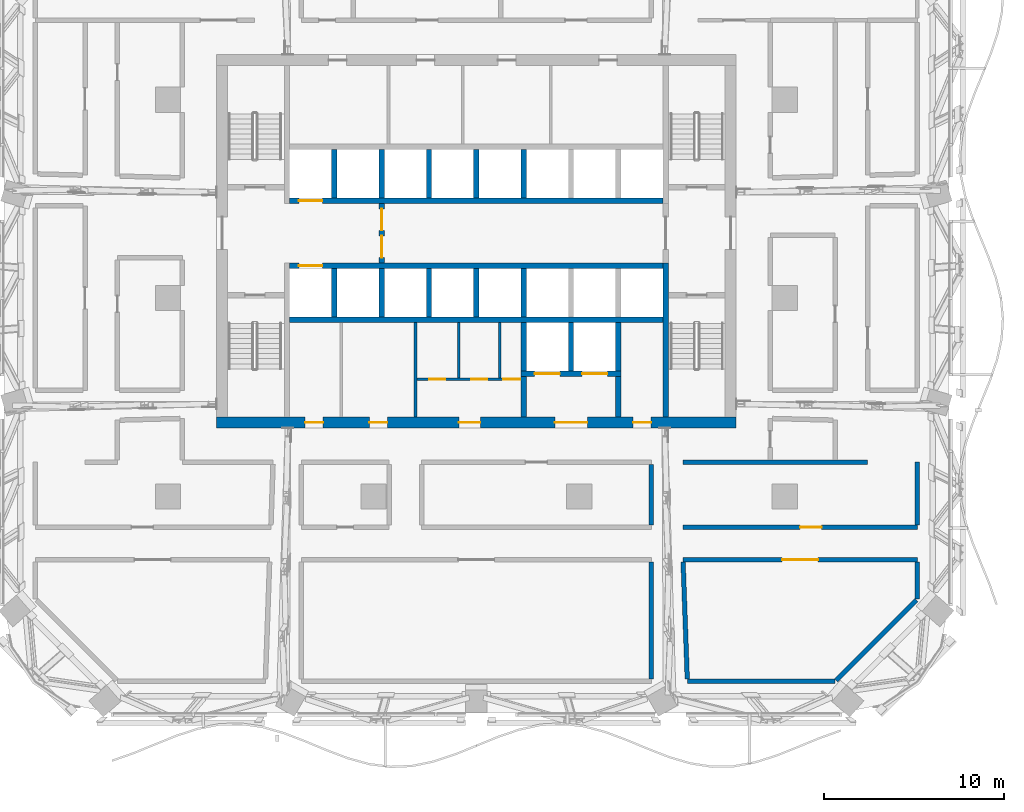
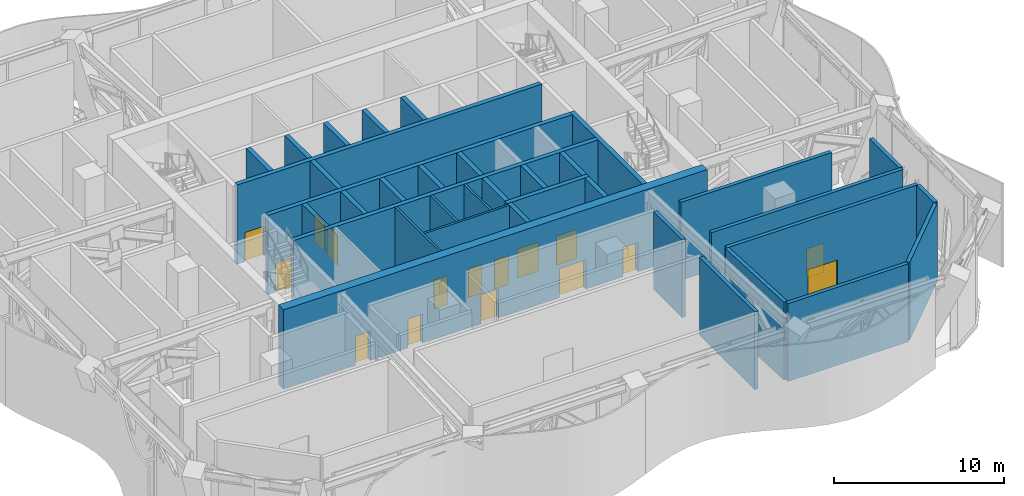
# One storey, part 9 of 26: 36 walls, 16 doors, 16 openings.
"""IFC4 building model written with IfcOpenShell, lengths in metres."""

from ifc_helpers import new_model, si_unit, direction, frame, frame_2d, origin, place, context, subcontext, project, spatial, rectangle, extrude, material, layer, layer_set, type_object, element, fill, save


model = new_model("IFC4")

# Units and contexts
model_context = context("Model", 3, precision=1e-05, world=origin(), true_north=direction((0.0, 1.0)))
body_context = subcontext(model_context, "Body", "Model", "MODEL_VIEW")
ifc_project = project(units=[si_unit("LENGTHUNIT", "METRE"), si_unit("AREAUNIT", "SQUARE_METRE"), si_unit("VOLUMEUNIT", "CUBIC_METRE"), si_unit("PLANEANGLEUNIT", "RADIAN"), si_unit("MASSUNIT", "GRAM", prefix="KILO")], contexts=[model_context])

# Site, building, storey
site_placement = place(None, origin())
site = spatial("IfcSite", under=ifc_project, at=site_placement, CompositionType="ELEMENT")
building_placement = place(site_placement, origin())
building = spatial("IfcBuilding", under=site, at=building_placement, Name="Mopane Tessera Tower", CompositionType="ELEMENT")
storey_placement = place(building_placement, frame((0.0, 0.0, 205.0)))
storey = spatial("IfcBuildingStorey", under=building, at=storey_placement, Name="L43", CompositionType="ELEMENT", Elevation=205.0)

# Wall
ifc_material_1 = material(Name="Fire-rated gypsum board partition")
ifc_layer_1 = layer(ifc_material_1, 0.14990234375)
ifc_layer_set_1 = layer_set([ifc_layer_1], Name="Fire-rated gypsum board partition")
wall_type_1 = type_object("IfcWallType", Name="Core room partition 150 mm", PredefinedType="PARTITIONING", material=ifc_layer_set_1)
wall_1_placement = place(storey_placement, frame((-3.375, -6.60009765625, 0.0), z_axis=(0.0, 0.0, 1.0), x_axis=(0.0, 1.0, 0.0)))
element("IfcWall", 1, at=wall_1_placement, inside=storey, type_object=wall_type_1, Name="L43 Room partition", PredefinedType="PARTITIONING", context=body_context, shape_type="SweptSolid", body=[
    extrude(rectangle(XDim=5.25, YDim=0.14990234375, at=frame_2d((2.625, 0.0))), origin(), (0.0, 0.0, 1.0), 5.699951171875),
])

# Wall, openings, doors
wall_2_placement = place(storey_placement, frame((-3.300048828125, -4.5, 0.0), z_axis=(0.0, 0.0, 1.0), x_axis=(1.0, 0.0, 0.0)))
wall_2 = element("IfcWall", 2, at=wall_2_placement, inside=storey, type_object=wall_type_1, Name="L43 WC partition", PredefinedType="PARTITIONING", context=body_context, shape_type="SweptSolid", body=[
    extrude(rectangle(XDim=5.775146484375, YDim=0.14990234375, at=frame_2d((2.8876953125, 0.0))), origin(), (0.0, 0.0, 1.0), 5.699951171875),
])
opening_1_placement = place(wall_2_placement, frame((0.675048828125, 0.0, 0.0)))
opening_1 = element("IfcOpeningElement", 3, at=opening_1_placement, cuts=wall_2, Name="Opening WD1", PredefinedType="OPENING", context=body_context, shape_type="SweptSolid", body=[
    extrude(rectangle(XDim=0.89990234375, YDim=2.10009765625, at=frame_2d((0.449951171875, 1.050048828125))), frame((0.0, 0.0869140625, 0.0), z_axis=(0.0, -1.0, 0.0), x_axis=(1.0, 0.0, 0.0)), (0.0, 0.0, 1.0), 0.173828125),
])
opening_2_placement = place(wall_2_placement, frame((3.014892578125, 0.0, 0.0)))
opening_2 = element("IfcOpeningElement", 4, at=opening_2_placement, cuts=wall_2, Name="Opening WD1", PredefinedType="OPENING", context=body_context, shape_type="SweptSolid", body=[
    extrude(rectangle(XDim=0.89990234375, YDim=2.10009765625, at=frame_2d((0.449951171875, 1.050048828125))), frame((0.0, 0.0869140625, 0.0), z_axis=(0.0, -1.0, 0.0), x_axis=(1.0, 0.0, 0.0)), (0.0, 0.0, 1.0), 0.173828125),
])
opening_3_placement = place(wall_2_placement, frame((4.7900390625, 0.0, 0.0)))
opening_3 = element("IfcOpeningElement", 5, at=opening_3_placement, cuts=wall_2, Name="Opening WD2", PredefinedType="OPENING", context=body_context, shape_type="SweptSolid", body=[
    extrude(rectangle(XDim=0.949951171875, YDim=2.10009765625, at=frame_2d((0.47509765625, 1.050048828125))), frame((0.0, 0.0869140625, 0.0), z_axis=(0.0, -1.0, 0.0), x_axis=(1.0, 0.0, 0.0)), (0.0, 0.0, 1.0), 0.173828125),
])
ifc_material_2 = material(Name="Timber door", Category="wood")
door_type_1 = type_object("IfcDoorType", Name="Accessible WC door 950 x 2100", OperationType="SINGLE_SWING_LEFT", PredefinedType="DOOR", material=ifc_material_2)
door_1_placement = place(opening_3_placement, origin())
door_1 = element("IfcDoor", 6, at=door_1_placement, inside=storey, type_object=door_type_1, Name="L43 Accessible WC door", OperationType="SINGLE_SWING_LEFT", OverallHeight=2.10009765625, OverallWidth=0.949951171875, PredefinedType="DOOR", context=body_context, shape_type="SweptSolid", body=[
    extrude(rectangle(XDim=0.949951171875, YDim=2.10009765625, at=frame_2d((0.47509765625, 1.050048828125))), frame((0.0, 0.02490234375, 0.0), z_axis=(0.0, -1.0, 0.0), x_axis=(1.0, 0.0, 0.0)), (0.0, 0.0, 1.0), 0.050048828125),
])
fill(opening_3, door_1)
ifc_material_3 = material(Name="Timber door", Category="wood")
door_type_2 = type_object("IfcDoorType", Name="WC cubicle door 900 x 2100", OperationType="SINGLE_SWING_LEFT", PredefinedType="DOOR", material=ifc_material_3)
door_2_placement = place(opening_1_placement, origin())
door_2 = element("IfcDoor", 7, at=door_2_placement, inside=storey, type_object=door_type_2, Name="L43 Men's WC door", OperationType="SINGLE_SWING_LEFT", OverallHeight=2.10009765625, OverallWidth=0.89990234375, PredefinedType="DOOR", context=body_context, shape_type="SweptSolid", body=[
    extrude(rectangle(XDim=0.89990234375, YDim=2.10009765625, at=frame_2d((0.449951171875, 1.050048828125))), frame((0.0, 0.02490234375, 0.0), z_axis=(0.0, -1.0, 0.0), x_axis=(1.0, 0.0, 0.0)), (0.0, 0.0, 1.0), 0.050048828125),
])
fill(opening_1, door_2)
door_3_placement = place(opening_2_placement, origin())
door_3 = element("IfcDoor", 8, at=door_3_placement, inside=storey, type_object=door_type_2, Name="L43 Women's WC door", OperationType="SINGLE_SWING_LEFT", OverallHeight=2.10009765625, OverallWidth=0.89990234375, PredefinedType="DOOR", context=body_context, shape_type="SweptSolid", body=[
    extrude(rectangle(XDim=0.89990234375, YDim=2.10009765625, at=frame_2d((0.449951171875, 1.050048828125))), frame((0.0, 0.02490234375, 0.0), z_axis=(0.0, -1.0, 0.0), x_axis=(1.0, 0.0, 0.0)), (0.0, 0.0, 1.0), 0.050048828125),
])
fill(opening_2, door_3)

# Walls
for number, where, z_axis, x_axis, name in (
    (9, (-0.97509765625, -4.425048828125, 0.0), (0.0, 0.0, 1.0), (0.0, 1.0, 0.0), "L43 WC partition"),
    (10, (1.304931640625, -4.425048828125, 0.0), (0.0, 0.0, 1.0), (0.0, 1.0, 0.0), "L43 WC partition"),
):
    element("IfcWall", number, at=place(storey_placement, frame(where, z_axis=z_axis, x_axis=x_axis)), inside=storey, type_object=wall_type_1, Name=name, PredefinedType="PARTITIONING", context=body_context, shape_type="SweptSolid", body=[
        extrude(rectangle(XDim=3.074951171875, YDim=0.14990234375, at=frame_2d((1.53759765625, 0.0))), origin(), (0.0, 0.0, 1.0), 5.699951171875),
    ])

# Wall, openings, doors
ifc_material_4 = material(Name="Concrete C70/85", Category="concrete")
ifc_layer_2 = layer(ifc_material_4, 0.60009765625)
ifc_layer_set_2 = layer_set([ifc_layer_2], Name="Concrete C70/85")
wall_type_2 = type_object("IfcWallType", Name="Core shear wall 600 mm", PredefinedType="SHEAR", material=ifc_layer_set_2)
wall_3_placement = place(storey_placement, frame((-14.39990234375, -6.89990234375, 0.0), z_axis=(0.0, 0.0, 1.0), x_axis=(1.0, 0.0, 0.0)))
wall_3 = element("IfcWall", 11, at=wall_3_placement, inside=storey, type_object=wall_type_2, Name="L43 Core wall south", PredefinedType="SHEAR", context=body_context, shape_type="SweptSolid", body=[
    extrude(rectangle(XDim=28.7998046875, YDim=0.60009765625, at=frame_2d((14.39990234375, 0.0))), origin(), (0.0, 0.0, 1.0), 5.699951171875),
])
opening_4_placement = place(wall_3_placement, frame((4.89990234375, 0.0, 0.0)))
opening_4 = element("IfcOpeningElement", 12, at=opening_4_placement, cuts=wall_3, Name="Opening RD1", PredefinedType="OPENING", context=body_context, shape_type="SweptSolid", body=[
    extrude(rectangle(XDim=1.0, YDim=2.10009765625, at=frame_2d((0.5, 1.050048828125))), frame((0.0, 0.31201171875, 0.0), z_axis=(0.0, -1.0, 0.0), x_axis=(1.0, 0.0, 0.0)), (0.0, 0.0, 1.0), 0.6240234375),
])
opening_5_placement = place(wall_3_placement, frame((8.46240234375, 0.0, 0.0)))
opening_5 = element("IfcOpeningElement", 13, at=opening_5_placement, cuts=wall_3, Name="Opening RD1", PredefinedType="OPENING", context=body_context, shape_type="SweptSolid", body=[
    extrude(rectangle(XDim=1.0, YDim=2.10009765625, at=frame_2d((0.5, 1.050048828125))), frame((0.0, 0.31201171875, 0.0), z_axis=(0.0, -1.0, 0.0), x_axis=(1.0, 0.0, 0.0)), (0.0, 0.0, 1.0), 0.6240234375),
])
opening_6_placement = place(wall_3_placement, frame((13.425048828125, 0.0, 0.0)))
opening_6 = element("IfcOpeningElement", 14, at=opening_6_placement, cuts=wall_3, Name="Opening WD3", PredefinedType="OPENING", context=body_context, shape_type="SweptSolid", body=[
    extrude(rectangle(XDim=1.199951171875, YDim=2.10009765625, at=frame_2d((0.60009765625, 1.050048828125))), frame((0.0, 0.31201171875, 0.0), z_axis=(0.0, -1.0, 0.0), x_axis=(1.0, 0.0, 0.0)), (0.0, 0.0, 1.0), 0.6240234375),
])
opening_7_placement = place(wall_3_placement, frame((18.75, 0.0, 0.0)))
opening_7 = element("IfcOpeningElement", 15, at=opening_7_placement, cuts=wall_3, Name="Opening SD2", PredefinedType="OPENING", context=body_context, shape_type="SweptSolid", body=[
    extrude(rectangle(XDim=1.800048828125, YDim=2.10009765625, at=frame_2d((0.89990234375, 1.050048828125))), frame((0.0, 0.31201171875, 0.0), z_axis=(0.0, -1.0, 0.0), x_axis=(1.0, 0.0, 0.0)), (0.0, 0.0, 1.0), 0.6240234375),
])
opening_8_placement = place(wall_3_placement, frame((23.08740234375, 0.0, 0.0)))
opening_8 = element("IfcOpeningElement", 16, at=opening_8_placement, cuts=wall_3, Name="Opening RD1", PredefinedType="OPENING", context=body_context, shape_type="SweptSolid", body=[
    extrude(rectangle(XDim=1.0, YDim=2.10009765625, at=frame_2d((0.5, 1.050048828125))), frame((0.0, 0.31201171875, 0.0), z_axis=(0.0, -1.0, 0.0), x_axis=(1.0, 0.0, 0.0)), (0.0, 0.0, 1.0), 0.6240234375),
])
ifc_material_5 = material(Name="Steel fire door", Category="steel")
door_type_3 = type_object("IfcDoorType", Name="Core entrance double door 1800 x 2100", OperationType="DOUBLE_DOOR_SINGLE_SWING", PredefinedType="DOOR", material=ifc_material_5)
door_4_placement = place(opening_7_placement, origin())
door_4 = element("IfcDoor", 17, at=door_4_placement, inside=storey, type_object=door_type_3, Name="L43 Service lobby door", OperationType="DOUBLE_DOOR_SINGLE_SWING", OverallHeight=2.10009765625, OverallWidth=1.800048828125, PredefinedType="DOOR", context=body_context, shape_type="SweptSolid", body=[
    extrude(rectangle(XDim=1.800048828125, YDim=2.10009765625, at=frame_2d((0.89990234375, 1.050048828125))), frame((0.0, 0.02490234375, 0.0), z_axis=(0.0, -1.0, 0.0), x_axis=(1.0, 0.0, 0.0)), (0.0, 0.0, 1.0), 0.050048828125),
])
fill(opening_7, door_4)
ifc_material_6 = material(Name="Timber door", Category="wood")
door_type_4 = type_object("IfcDoorType", Name="Core room door 1000 x 2100", OperationType="SINGLE_SWING_LEFT", PredefinedType="DOOR", material=ifc_material_6)
door_5_placement = place(opening_4_placement, origin())
door_5 = element("IfcDoor", 18, at=door_5_placement, inside=storey, type_object=door_type_4, Name="L43 Room door", OperationType="SINGLE_SWING_LEFT", OverallHeight=2.10009765625, OverallWidth=1.0, PredefinedType="DOOR", context=body_context, shape_type="SweptSolid", body=[
    extrude(rectangle(XDim=1.0, YDim=2.10009765625, at=frame_2d((0.5, 1.050048828125))), frame((0.0, 0.02490234375, 0.0), z_axis=(0.0, -1.0, 0.0), x_axis=(1.0, 0.0, 0.0)), (0.0, 0.0, 1.0), 0.050048828125),
])
fill(opening_4, door_5)
door_6_placement = place(opening_5_placement, origin())
door_6 = element("IfcDoor", 19, at=door_6_placement, inside=storey, type_object=door_type_4, Name="L43 Room door", OperationType="SINGLE_SWING_LEFT", OverallHeight=2.10009765625, OverallWidth=1.0, PredefinedType="DOOR", context=body_context, shape_type="SweptSolid", body=[
    extrude(rectangle(XDim=1.0, YDim=2.10009765625, at=frame_2d((0.5, 1.050048828125))), frame((0.0, 0.02490234375, 0.0), z_axis=(0.0, -1.0, 0.0), x_axis=(1.0, 0.0, 0.0)), (0.0, 0.0, 1.0), 0.050048828125),
])
fill(opening_5, door_6)
door_7_placement = place(opening_8_placement, origin())
door_7 = element("IfcDoor", 20, at=door_7_placement, inside=storey, type_object=door_type_4, Name="L43 Room door", OperationType="SINGLE_SWING_LEFT", OverallHeight=2.10009765625, OverallWidth=1.0, PredefinedType="DOOR", context=body_context, shape_type="SweptSolid", body=[
    extrude(rectangle(XDim=1.0, YDim=2.10009765625, at=frame_2d((0.5, 1.050048828125))), frame((0.0, 0.02490234375, 0.0), z_axis=(0.0, -1.0, 0.0), x_axis=(1.0, 0.0, 0.0)), (0.0, 0.0, 1.0), 0.050048828125),
])
fill(opening_8, door_7)
ifc_material_7 = material(Name="Timber door", Category="wood")
door_type_5 = type_object("IfcDoorType", Name="WC lobby door 1200 x 2100", OperationType="SINGLE_SWING_LEFT", PredefinedType="DOOR", material=ifc_material_7)
door_8_placement = place(opening_6_placement, origin())
door_8 = element("IfcDoor", 21, at=door_8_placement, inside=storey, type_object=door_type_5, Name="L43 WC lobby door", OperationType="SINGLE_SWING_LEFT", OverallHeight=2.10009765625, OverallWidth=1.199951171875, PredefinedType="DOOR", context=body_context, shape_type="SweptSolid", body=[
    extrude(rectangle(XDim=1.199951171875, YDim=2.10009765625, at=frame_2d((0.60009765625, 1.050048828125))), frame((0.0, 0.02490234375, 0.0), z_axis=(0.0, -1.0, 0.0), x_axis=(1.0, 0.0, 0.0)), (0.0, 0.0, 1.0), 0.050048828125),
])
fill(opening_6, door_8)

# Walls
ifc_material_8 = material(Name="Concrete C60/75", Category="concrete")
ifc_layer_3 = layer(ifc_material_8, 0.300048828125)
ifc_layer_set_3 = layer_set([ifc_layer_3], Name="Concrete C60/75")
wall_type_3 = type_object("IfcWallType", Name="Core spine wall 300 mm", PredefinedType="SHEAR", material=ifc_layer_set_3)
wall_4_placement = place(storey_placement, frame((10.5, -6.60009765625, 0.0), z_axis=(0.0, 0.0, 1.0), x_axis=(0.0, 1.0, 0.0)))
element("IfcWall", 22, at=wall_4_placement, inside=storey, type_object=wall_type_3, Name="L43 Core spine wall", PredefinedType="SHEAR", context=body_context, shape_type="SweptSolid", body=[
    extrude(rectangle(XDim=8.550048828125, YDim=0.300048828125, at=frame_2d((4.27490234375, 0.0))), origin(), (0.0, 0.0, 1.0), 5.699951171875),
])
ifc_material_9 = material(Name="Concrete C50/60", Category="concrete")
ifc_layer_4 = layer(ifc_material_9, 0.300048828125)
ifc_layer_set_4 = layer_set([ifc_layer_4], Name="Concrete C50/60")
wall_type_4 = type_object("IfcWallType", Name="Lift and stair shaft wall 300 mm", PredefinedType="SOLIDWALL", material=ifc_layer_set_4)
wall_5_placement = place(storey_placement, frame((-10.35009765625, -1.199951171875, 0.0), z_axis=(0.0, 0.0, 1.0), x_axis=(1.0, 0.0, 0.0)))
element("IfcWall", 23, at=wall_5_placement, inside=storey, type_object=wall_type_4, Name="L43 Lift shaft rear wall", PredefinedType="SOLIDWALL", context=body_context, shape_type="SweptSolid", body=[
    extrude(rectangle(XDim=20.7001953125, YDim=0.300048828125, at=frame_2d((10.35009765625, 0.0))), origin(), (0.0, 0.0, 1.0), 5.699951171875),
])

# Wall, opening, door
wall_6_placement = place(storey_placement, frame((-10.35009765625, 1.800048828125, 0.0), z_axis=(0.0, 0.0, 1.0), x_axis=(1.0, 0.0, 0.0)))
wall_6 = element("IfcWall", 24, at=wall_6_placement, inside=storey, type_object=wall_type_4, Name="L43 Lift shaft front wall", PredefinedType="SOLIDWALL", context=body_context, shape_type="SweptSolid", body=[
    extrude(rectangle(XDim=20.7001953125, YDim=0.300048828125, at=frame_2d((10.35009765625, 0.0))), origin(), (0.0, 0.0, 1.0), 5.699951171875),
])
opening_9_placement = place(wall_6_placement, frame((0.512451171875, 0.0, 0.0)))
opening_9 = element("IfcOpeningElement", 25, at=opening_9_placement, cuts=wall_6, Name="Opening LD2", PredefinedType="OPENING", context=body_context, shape_type="SweptSolid", body=[
    extrude(rectangle(XDim=1.300048828125, YDim=2.10009765625, at=frame_2d((0.64990234375, 1.050048828125))), frame((0.0, 0.162109375, 0.0), z_axis=(0.0, -1.0, 0.0), x_axis=(1.0, 0.0, 0.0)), (0.0, 0.0, 1.0), 0.323974609375),
])
ifc_material_10 = material(Name="Stainless steel sliding door", Category="steel")
door_type_6 = type_object("IfcDoorType", Name="Fire-fighting lift landing door 1300 x 2100", OperationType="DOUBLE_DOOR_SLIDING", PredefinedType="DOOR", material=ifc_material_10)
door_9_placement = place(opening_9_placement, origin())
door_9 = element("IfcDoor", 26, at=door_9_placement, inside=storey, type_object=door_type_6, Name="L43 Lift landing door FF1", OperationType="DOUBLE_DOOR_SLIDING", OverallHeight=2.10009765625, OverallWidth=1.300048828125, PredefinedType="DOOR", context=body_context, shape_type="SweptSolid", body=[
    extrude(rectangle(XDim=1.300048828125, YDim=2.10009765625, at=frame_2d((0.64990234375, 1.050048828125))), frame((0.0, 0.02490234375, 0.0), z_axis=(0.0, -1.0, 0.0), x_axis=(1.0, 0.0, 0.0)), (0.0, 0.0, 1.0), 0.050048828125),
])
fill(opening_9, door_9)

wall_7_placement = place(storey_placement, frame((-10.35009765625, 5.39990234375, 0.0), z_axis=(0.0, 0.0, 1.0), x_axis=(1.0, 0.0, 0.0)))
wall_7 = element("IfcWall", 27, at=wall_7_placement, inside=storey, type_object=wall_type_4, Name="L43 Lift shaft front wall", PredefinedType="SOLIDWALL", context=body_context, shape_type="SweptSolid", body=[
    extrude(rectangle(XDim=20.7001953125, YDim=0.300048828125, at=frame_2d((10.35009765625, 0.0))), origin(), (0.0, 0.0, 1.0), 5.699951171875),
])
opening_10_placement = place(wall_7_placement, frame((0.512451171875, 0.0, 0.0)))
opening_10 = element("IfcOpeningElement", 28, at=opening_10_placement, cuts=wall_7, Name="Opening LD2", PredefinedType="OPENING", context=body_context, shape_type="SweptSolid", body=[
    extrude(rectangle(XDim=1.300048828125, YDim=2.10009765625, at=frame_2d((0.64990234375, 1.050048828125))), frame((0.0, 0.162109375, 0.0), z_axis=(0.0, -1.0, 0.0), x_axis=(1.0, 0.0, 0.0)), (0.0, 0.0, 1.0), 0.323974609375),
])
door_10_placement = place(opening_10_placement, origin())
door_10 = element("IfcDoor", 29, at=door_10_placement, inside=storey, type_object=door_type_6, Name="L43 Lift landing door FF2", OperationType="DOUBLE_DOOR_SLIDING", OverallHeight=2.10009765625, OverallWidth=1.300048828125, PredefinedType="DOOR", context=body_context, shape_type="SweptSolid", body=[
    extrude(rectangle(XDim=1.300048828125, YDim=2.10009765625, at=frame_2d((0.64990234375, 1.050048828125))), frame((0.0, 0.02490234375, 0.0), z_axis=(0.0, -1.0, 0.0), x_axis=(1.0, 0.0, 0.0)), (0.0, 0.0, 1.0), 0.050048828125),
])
fill(opening_10, door_10)

# Walls
for number, where, z_axis, x_axis, name in (
    (30, (-7.875, -1.050048828125, 0.0), (0.0, 0.0, 1.0), (0.0, 1.0, 0.0), "L43 Lift shaft wall"),
    (31, (-5.25, -1.050048828125, 0.0), (0.0, 0.0, 1.0), (0.0, 1.0, 0.0), "L43 Lift shaft wall"),
    (32, (-2.625, -1.050048828125, 0.0), (0.0, 0.0, 1.0), (0.0, 1.0, 0.0), "L43 Lift shaft wall"),
    (33, (0.0, -1.050048828125, 0.0), (0.0, 0.0, 1.0), (0.0, 1.0, 0.0), "L43 Lift shaft wall"),
    (34, (2.625, -1.050048828125, 0.0), (0.0, 0.0, 1.0), (0.0, 1.0, 0.0), "L43 Lift shaft wall"),
    (35, (-7.875, 5.550048828125, 0.0), (0.0, 0.0, 1.0), (0.0, 1.0, 0.0), "L43 Lift shaft wall"),
    (36, (-5.25, 5.550048828125, 0.0), (0.0, 0.0, 1.0), (0.0, 1.0, 0.0), "L43 Lift shaft wall"),
    (37, (-2.625, 5.550048828125, 0.0), (0.0, 0.0, 1.0), (0.0, 1.0, 0.0), "L43 Lift shaft wall"),
    (38, (0.0, 5.550048828125, 0.0), (0.0, 0.0, 1.0), (0.0, 1.0, 0.0), "L43 Lift shaft wall"),
    (39, (2.625, 5.550048828125, 0.0), (0.0, 0.0, 1.0), (0.0, 1.0, 0.0), "L43 Lift shaft wall"),
):
    element("IfcWall", number, at=place(storey_placement, frame(where, z_axis=z_axis, x_axis=x_axis)), inside=storey, type_object=wall_type_4, Name=name, PredefinedType="SOLIDWALL", context=body_context, shape_type="SweptSolid", body=[
        extrude(rectangle(XDim=2.699951171875, YDim=0.300048828125, at=frame_2d((1.35009765625, 0.0))), origin(), (0.0, 0.0, 1.0), 5.699951171875),
    ])

# Wall, openings, doors
wall_8_placement = place(storey_placement, frame((2.47509765625, -4.199951171875, 0.0), z_axis=(0.0, 0.0, 1.0), x_axis=(1.0, 0.0, 0.0)))
wall_8 = element("IfcWall", 40, at=wall_8_placement, inside=storey, type_object=wall_type_4, Name="L43 Lift shaft front wall", PredefinedType="SOLIDWALL", context=body_context, shape_type="SweptSolid", body=[
    extrude(rectangle(XDim=5.5498046875, YDim=0.300048828125, at=frame_2d((2.77490234375, 0.0))), origin(), (0.0, 0.0, 1.0), 5.699951171875),
])
opening_11_placement = place(wall_8_placement, frame((0.762451171875, 0.0, 0.0)))
opening_11 = element("IfcOpeningElement", 41, at=opening_11_placement, cuts=wall_8, Name="Opening LD3", PredefinedType="OPENING", context=body_context, shape_type="SweptSolid", body=[
    extrude(rectangle(XDim=1.39990234375, YDim=2.10009765625, at=frame_2d((0.699951171875, 1.050048828125))), frame((0.0, 0.162109375, 0.0), z_axis=(0.0, -1.0, 0.0), x_axis=(1.0, 0.0, 0.0)), (0.0, 0.0, 1.0), 0.323974609375),
])
opening_12_placement = place(wall_8_placement, frame((3.387451171875, 0.0, 0.0)))
opening_12 = element("IfcOpeningElement", 42, at=opening_12_placement, cuts=wall_8, Name="Opening LD3", PredefinedType="OPENING", context=body_context, shape_type="SweptSolid", body=[
    extrude(rectangle(XDim=1.39990234375, YDim=2.10009765625, at=frame_2d((0.699951171875, 1.050048828125))), frame((0.0, 0.162109375, 0.0), z_axis=(0.0, -1.0, 0.0), x_axis=(1.0, 0.0, 0.0)), (0.0, 0.0, 1.0), 0.323974609375),
])
ifc_material_11 = material(Name="Stainless steel sliding door", Category="steel")
door_type_7 = type_object("IfcDoorType", Name="Service lift landing door 1400 x 2100", OperationType="DOUBLE_DOOR_SLIDING", PredefinedType="DOOR", material=ifc_material_11)
door_11_placement = place(opening_11_placement, origin())
door_11 = element("IfcDoor", 43, at=door_11_placement, inside=storey, type_object=door_type_7, Name="L43 Lift landing door SV1", OperationType="DOUBLE_DOOR_SLIDING", OverallHeight=2.10009765625, OverallWidth=1.39990234375, PredefinedType="DOOR", context=body_context, shape_type="SweptSolid", body=[
    extrude(rectangle(XDim=1.39990234375, YDim=2.10009765625, at=frame_2d((0.699951171875, 1.050048828125))), frame((0.0, 0.02490234375, 0.0), z_axis=(0.0, -1.0, 0.0), x_axis=(1.0, 0.0, 0.0)), (0.0, 0.0, 1.0), 0.050048828125),
])
fill(opening_11, door_11)
door_12_placement = place(opening_12_placement, origin())
door_12 = element("IfcDoor", 44, at=door_12_placement, inside=storey, type_object=door_type_7, Name="L43 Lift landing door SV2", OperationType="DOUBLE_DOOR_SLIDING", OverallHeight=2.10009765625, OverallWidth=1.39990234375, PredefinedType="DOOR", context=body_context, shape_type="SweptSolid", body=[
    extrude(rectangle(XDim=1.39990234375, YDim=2.10009765625, at=frame_2d((0.699951171875, 1.050048828125))), frame((0.0, 0.02490234375, 0.0), z_axis=(0.0, -1.0, 0.0), x_axis=(1.0, 0.0, 0.0)), (0.0, 0.0, 1.0), 0.050048828125),
])
fill(opening_12, door_12)

# Walls
for number, where, z_axis, x_axis, name in (
    (45, (2.625, -4.050048828125, 0.0), (0.0, 0.0, 1.0), (0.0, 1.0, 0.0), "L43 Lift shaft wall"),
    (46, (5.25, -4.050048828125, 0.0), (0.0, 0.0, 1.0), (0.0, 1.0, 0.0), "L43 Lift shaft wall"),
    (47, (7.875, -4.050048828125, 0.0), (0.0, 0.0, 1.0), (0.0, 1.0, 0.0), "L43 Lift shaft wall"),
):
    element("IfcWall", number, at=place(storey_placement, frame(where, z_axis=z_axis, x_axis=x_axis)), inside=storey, type_object=wall_type_4, Name=name, PredefinedType="SOLIDWALL", context=body_context, shape_type="SweptSolid", body=[
        extrude(rectangle(XDim=2.699951171875, YDim=0.300048828125, at=frame_2d((1.35009765625, 0.0))), origin(), (0.0, 0.0, 1.0), 5.699951171875),
    ])

# Wall, openings, doors
ifc_material_12 = material(Name="Concrete C50/60", Category="concrete")
ifc_layer_5 = layer(ifc_material_12, 0.300048828125)
ifc_layer_set_5 = layer_set([ifc_layer_5], Name="Concrete C50/60")
wall_type_5 = type_object("IfcWallType", Name="Lobby and refuge room wall 300 mm", PredefinedType="SOLIDWALL", material=ifc_layer_set_5)
wall_9_placement = place(storey_placement, frame((-5.25, 1.949951171875, 0.0), z_axis=(0.0, 0.0, 1.0), x_axis=(0.0, 1.0, 0.0)))
wall_9 = element("IfcWall", 48, at=wall_9_placement, inside=storey, type_object=wall_type_5, Name="L43 Fire-fighting lobby wall", PredefinedType="SOLIDWALL", context=body_context, shape_type="SweptSolid", body=[
    extrude(rectangle(XDim=3.300048828125, YDim=0.300048828125, at=frame_2d((1.64990234375, 0.0))), origin(), (0.0, 0.0, 1.0), 5.699951171875),
])
opening_13_placement = place(wall_9_placement, frame((0.300048828125, 0.0, 0.0)))
opening_13 = element("IfcOpeningElement", 49, at=opening_13_placement, cuts=wall_9, Name="Opening SD3", PredefinedType="OPENING", context=body_context, shape_type="SweptSolid", body=[
    extrude(rectangle(XDim=1.199951171875, YDim=2.10009765625, at=frame_2d((0.60009765625, 1.050048828125))), frame((0.0, 0.162109375, 0.0), z_axis=(0.0, -1.0, 0.0), x_axis=(1.0, 0.0, 0.0)), (0.0, 0.0, 1.0), 0.323974609375),
])
opening_14_placement = place(wall_9_placement, frame((1.800048828125, 0.0, 0.0)))
opening_14 = element("IfcOpeningElement", 50, at=opening_14_placement, cuts=wall_9, Name="Opening SD3", PredefinedType="OPENING", context=body_context, shape_type="SweptSolid", body=[
    extrude(rectangle(XDim=1.199951171875, YDim=2.10009765625, at=frame_2d((0.60009765625, 1.050048828125))), frame((0.0, 0.162109375, 0.0), z_axis=(0.0, -1.0, 0.0), x_axis=(1.0, 0.0, 0.0)), (0.0, 0.0, 1.0), 0.323974609375),
])
ifc_material_13 = material(Name="Steel fire door", Category="steel")
door_type_8 = type_object("IfcDoorType", Name="Lobby fire door 1200 x 2100", OperationType="SINGLE_SWING_LEFT", PredefinedType="DOOR", material=ifc_material_13)
door_13_placement = place(opening_13_placement, origin())
door_13 = element("IfcDoor", 51, at=door_13_placement, inside=storey, type_object=door_type_8, Name="L43 Fire-fighting lobby door", OperationType="SINGLE_SWING_LEFT", OverallHeight=2.10009765625, OverallWidth=1.199951171875, PredefinedType="DOOR", context=body_context, shape_type="SweptSolid", body=[
    extrude(rectangle(XDim=1.199951171875, YDim=2.10009765625, at=frame_2d((0.60009765625, 1.050048828125))), frame((0.0, 0.02490234375, 0.0), z_axis=(0.0, -1.0, 0.0), x_axis=(1.0, 0.0, 0.0)), (0.0, 0.0, 1.0), 0.050048828125),
])
fill(opening_13, door_13)
door_14_placement = place(opening_14_placement, origin())
door_14 = element("IfcDoor", 52, at=door_14_placement, inside=storey, type_object=door_type_8, Name="L43 Fire-fighting lobby door", OperationType="SINGLE_SWING_RIGHT", OverallHeight=2.10009765625, OverallWidth=1.199951171875, PredefinedType="DOOR", context=body_context, shape_type="SweptSolid", body=[
    extrude(rectangle(XDim=1.199951171875, YDim=2.10009765625, at=frame_2d((0.60009765625, 1.050048828125))), frame((0.0, 0.02490234375, 0.0), z_axis=(0.0, -1.0, 0.0), x_axis=(1.0, 0.0, 0.0)), (0.0, 0.0, 1.0), 0.050048828125),
])
fill(opening_14, door_14)

# Walls
for number, where, z_axis, x_axis, name in (
    (53, (2.625, -6.60009765625, 0.0), (0.0, 0.0, 1.0), (0.0, 1.0, 0.0), "L43 Service lobby wall"),
    (54, (7.875, -6.60009765625, 0.0), (0.0, 0.0, 1.0), (0.0, 1.0, 0.0), "L43 Service lobby wall"),
):
    element("IfcWall", number, at=place(storey_placement, frame(where, z_axis=z_axis, x_axis=x_axis)), inside=storey, type_object=wall_type_5, Name=name, PredefinedType="SOLIDWALL", context=body_context, shape_type="SweptSolid", body=[
        extrude(rectangle(XDim=2.25, YDim=0.300048828125, at=frame_2d((1.125, 0.0))), origin(), (0.0, 0.0, 1.0), 5.699951171875),
    ])
ifc_material_14 = material(Name="Plastered concrete blockwork C20/25", Category="masonry")
ifc_layer_6 = layer(ifc_material_14, 0.25)
ifc_layer_set_6 = layer_set([ifc_layer_6], Name="Plastered concrete blockwork C20/25")
wall_type_6 = type_object("IfcWallType", Name="Plastered blockwork wall 250, rated EI 120", PredefinedType="PARTITIONING", material=ifc_layer_set_6)
wall_10_placement = place(storey_placement, frame((11.699951171875, -21.25, 0.0), z_axis=(0.0, 0.0, 1.0), x_axis=(1.0, 0.0, 0.0)))
element("IfcWall", 55, at=wall_10_placement, inside=storey, type_object=wall_type_6, Name="Partition L43:002", PredefinedType="PARTITIONING", context=body_context, shape_type="SweptSolid", body=[
    extrude(rectangle(XDim=8.18994140625, YDim=0.25, at=frame_2d((4.094970703125, 0.0))), origin(), (0.0, 0.0, 1.0), 5.60009765625),
])

# Wall, opening, door
wall_11_placement = place(storey_placement, frame((11.4599609375, -14.5, 0.0), z_axis=(0.0, 0.0, 1.0), x_axis=(1.0, 0.0, 0.0)))
wall_11 = element("IfcWall", 56, at=wall_11_placement, inside=storey, type_object=wall_type_6, Name="Partition L43:005", PredefinedType="PARTITIONING", context=body_context, shape_type="SweptSolid", body=[
    extrude(rectangle(XDim=12.989990234375, YDim=0.25, at=frame_2d((6.4951171875, 0.0))), origin(), (0.0, 0.0, 1.0), 5.60009765625),
])
opening_15_placement = place(wall_11_placement, frame((5.4951171875, 0.0, 0.0)))
opening_15 = element("IfcOpeningElement", 57, at=opening_15_placement, cuts=wall_11, Name="Opening L43-02", PredefinedType="OPENING", context=body_context, shape_type="SweptSolid", body=[
    extrude(rectangle(XDim=2.0, YDim=2.10009765625, at=frame_2d((1.0, 1.050048828125))), frame((0.0, 0.136962890625, 0.0), z_axis=(0.0, -1.0, 0.0), x_axis=(1.0, 0.0, 0.0)), (0.0, 0.0, 1.0), 0.27392578125),
])
ifc_material_15 = material(Name="Timber veneered steel-framed fire door", Category="steel")
door_type_9 = type_object("IfcDoorType", Name="Fire door pair FD120 2000 x 2100", OperationType="DOUBLE_DOOR_SINGLE_SWING", PredefinedType="DOOR", material=ifc_material_15)
door_15_placement = place(opening_15_placement, origin())
door_15 = element("IfcDoor", 58, at=door_15_placement, inside=storey, type_object=door_type_9, Name="Door L43-02", ObjectType="D25B", OperationType="DOUBLE_DOOR_SINGLE_SWING", OverallHeight=2.10009765625, OverallWidth=2.0, PredefinedType="DOOR", context=body_context, shape_type="SweptSolid", body=[
    extrude(rectangle(XDim=2.0, YDim=2.10009765625, at=frame_2d((1.0, 1.050048828125))), frame((0.0, 0.02490234375, 0.0), z_axis=(0.0, -1.0, 0.0), x_axis=(1.0, 0.0, 0.0)), (0.0, 0.0, 1.0), 0.050048828125),
])
fill(opening_15, door_15)

wall_12_placement = place(storey_placement, frame((11.455078125, -12.699951171875, 0.0), z_axis=(0.0, 0.0, 1.0), x_axis=(1.0, 0.0, 0.0)))
wall_12 = element("IfcWall", 59, at=wall_12_placement, inside=storey, type_object=wall_type_6, Name="Partition L43:009", PredefinedType="PARTITIONING", context=body_context, shape_type="SweptSolid", body=[
    extrude(rectangle(XDim=12.994873046875, YDim=0.25, at=frame_2d((6.49755859375, 0.0))), origin(), (0.0, 0.0, 1.0), 5.60009765625),
])
opening_16_placement = place(wall_12_placement, frame((6.49755859375, 0.0, 0.0)))
opening_16 = element("IfcOpeningElement", 60, at=opening_16_placement, cuts=wall_12, Name="Opening L43-18", PredefinedType="OPENING", context=body_context, shape_type="SweptSolid", body=[
    extrude(rectangle(XDim=1.199951171875, YDim=2.10009765625, at=frame_2d((0.60009765625, 1.050048828125))), frame((0.0, 0.136962890625, 0.0), z_axis=(0.0, -1.0, 0.0), x_axis=(1.0, 0.0, 0.0)), (0.0, 0.0, 1.0), 0.27392578125),
])
ifc_material_16 = material(Name="Timber veneered steel-framed fire door", Category="steel")
door_type_10 = type_object("IfcDoorType", Name="Fire door FD120 1200 x 2100", OperationType="SINGLE_SWING_LEFT", PredefinedType="DOOR", material=ifc_material_16)
door_16_placement = place(opening_16_placement, origin())
door_16 = element("IfcDoor", 61, at=door_16_placement, inside=storey, type_object=door_type_10, Name="Door L43-18", ObjectType="D15B", OperationType="SINGLE_SWING_RIGHT", OverallHeight=2.10009765625, OverallWidth=1.199951171875, PredefinedType="DOOR", context=body_context, shape_type="SweptSolid", body=[
    extrude(rectangle(XDim=1.199951171875, YDim=2.10009765625, at=frame_2d((0.60009765625, 1.050048828125))), frame((0.0, 0.02490234375, 0.0), z_axis=(0.0, -1.0, 0.0), x_axis=(1.0, 0.0, 0.0)), (0.0, 0.0, 1.0), 0.050048828125),
])
fill(opening_16, door_16)

# Walls
wall_13_placement = place(storey_placement, frame((11.455078125, -9.10009765625, 0.0), z_axis=(0.0, 0.0, 1.0), x_axis=(1.0, 0.0, 0.0)))
element("IfcWall", 62, at=wall_13_placement, inside=storey, type_object=wall_type_6, Name="Partition L43:014", PredefinedType="PARTITIONING", context=body_context, shape_type="SweptSolid", body=[
    extrude(rectangle(XDim=10.244873046875, YDim=0.25, at=frame_2d((5.12255859375, 0.0))), origin(), (0.0, 0.0, 1.0), 5.60009765625),
])
wall_14_placement = place(storey_placement, frame((9.699951171875, -21.125, 0.0), z_axis=(0.0, 0.0, 1.0), x_axis=(0.0, 1.0, 0.0)))
element("IfcWall", 63, at=wall_14_placement, inside=storey, type_object=wall_type_6, Name="Partition L43:056", PredefinedType="PARTITIONING", context=body_context, shape_type="SweptSolid", body=[
    extrude(rectangle(XDim=6.5, YDim=0.25, at=frame_2d((3.25, 0.0))), origin(), (0.0, 0.0, 1.0), 5.60009765625),
])
wall_15_placement = place(storey_placement, frame((9.699951171875, -12.574951171875, 0.0), z_axis=(0.0, 0.0, 1.0), x_axis=(0.0, 1.0, 0.0)))
element("IfcWall", 64, at=wall_15_placement, inside=storey, type_object=wall_type_6, Name="Partition L43:057", PredefinedType="PARTITIONING", context=body_context, shape_type="SweptSolid", body=[
    extrude(rectangle(XDim=3.349853515625, YDim=0.25, at=frame_2d((1.6748046875, 0.0))), origin(), (0.0, 0.0, 1.0), 5.60009765625),
])
wall_16_placement = place(storey_placement, frame((24.449951171875, -16.68994140625, 0.0), z_axis=(0.0, 0.0, 1.0), x_axis=(0.0, 1.0, 0.0)))
element("IfcWall", 65, at=wall_16_placement, inside=storey, type_object=wall_type_6, Name="Partition L43:070", PredefinedType="PARTITIONING", context=body_context, shape_type="SweptSolid", body=[
    extrude(rectangle(XDim=2.06494140625, YDim=0.25, at=frame_2d((1.032470703125, 0.0))), origin(), (0.0, 0.0, 1.0), 5.60009765625),
])
wall_17_placement = place(storey_placement, frame((24.449951171875, -12.574951171875, 0.0), z_axis=(0.0, 0.0, 1.0), x_axis=(0.0, 1.0, 0.0)))
element("IfcWall", 66, at=wall_17_placement, inside=storey, type_object=wall_type_6, Name="Partition L43:071", PredefinedType="PARTITIONING", context=body_context, shape_type="SweptSolid", body=[
    extrude(rectangle(XDim=3.474853515625, YDim=0.25, at=frame_2d((1.7373046875, 0.0))), origin(), (0.0, 0.0, 1.0), 5.60009765625),
])
wall_18_placement = place(storey_placement, frame((24.39306640625, -16.7470703125, 0.0), z_axis=(0.0, 0.0, 1.0), x_axis=(-0.707106781187, -0.707106781187, 0.0)))
element("IfcWall", 67, at=wall_18_placement, inside=storey, type_object=wall_type_6, Name="Partition L43:075", PredefinedType="PARTITIONING", context=body_context, shape_type="SweptSolid", body=[
    extrude(rectangle(XDim=6.28759765625, YDim=0.25, at=frame_2d((3.143798828125, 0.0))), origin(), (0.0, 0.0, 1.0), 5.60009765625),
])
wall_19_placement = place(storey_placement, frame((11.695068359375, -21.1201171875, 0.0), z_axis=(0.0, 0.0, 1.0), x_axis=(-0.035412622455, 0.999372776381, 0.0)))
element("IfcWall", 68, at=wall_19_placement, inside=storey, type_object=wall_type_6, Name="Partition L43:076", PredefinedType="PARTITIONING", context=body_context, shape_type="SweptSolid", body=[
    extrude(rectangle(XDim=6.494384765625, YDim=0.25, at=frame_2d((3.2470703125, 0.0))), origin(), (0.0, 0.0, 1.0), 5.60009765625),
])

save(model, "model.ifc")
